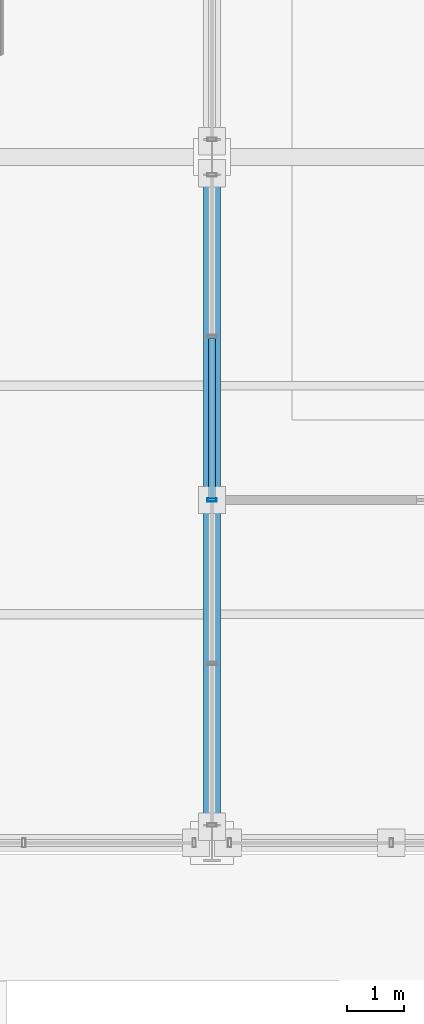
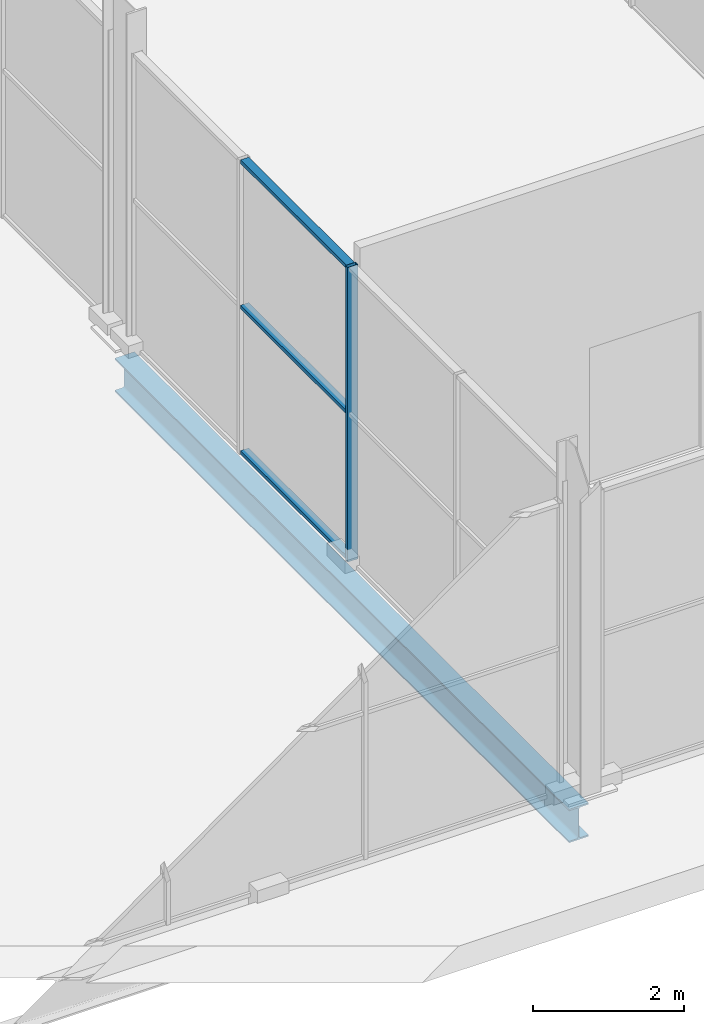
# One storey, part 42 of 196: 4 members, 1 beam, 1 element without a shape of its own.
"""IFC4 building model written with IfcOpenShell, lengths in metres."""

from ifc_helpers import new_model, si_unit, direction, frame, origin, origin_2d, place, context, subcontext, project, spatial, hollow_rectangle, i_section, extrude, material, material_profile, profile_set, type_object, element, aggregate, save


model = new_model("IFC4")

# Units and contexts
model_context = context("Model", 3, precision=1e-05, world=origin(), true_north=direction((0.0, 1.0)))
body_context = subcontext(model_context, "Body", "Model", "MODEL_VIEW")
ifc_project = project(units=[si_unit("LENGTHUNIT", "METRE"), si_unit("AREAUNIT", "SQUARE_METRE"), si_unit("VOLUMEUNIT", "CUBIC_METRE"), si_unit("PLANEANGLEUNIT", "RADIAN"), si_unit("MASSUNIT", "GRAM", prefix="KILO")], contexts=[model_context])

# Site, building, storey
site_placement = place(None, origin())
site = spatial("IfcSite", under=ifc_project, at=site_placement, CompositionType="ELEMENT")
building_placement = place(site_placement, origin())
building = spatial("IfcBuilding", under=site, at=building_placement, Name="Merenkruunu Market Hall", CompositionType="ELEMENT")
storey_placement = place(building_placement, origin())
storey = spatial("IfcBuildingStorey", under=building, at=storey_placement, Name="L00", CompositionType="ELEMENT", Elevation=0.0)

# Curtain wall, members
ifc_material_1 = material(Name="Powder-coated aluminium", Category="aluminium")
curtain_wall_type = type_object("IfcCurtainWallType", Name="Glazed Curtain Wall CW02", PredefinedType="USERDEFINED", material=ifc_material_1)
curtain_wall_placement = place(storey_placement, origin())
curtain_wall = element("IfcCurtainWall", 1, at=curtain_wall_placement, inside=storey, type_object=curtain_wall_type, Name="CW-L00-CWM01-121", ObjectType="GLAZED_FACADE", PredefinedType="USERDEFINED")
ifc_material_profile_1 = material_profile(ifc_material_1, hollow_rectangle(XDim=0.06005859375, YDim=0.159912109375, WallThickness=0.00390625, at=origin_2d()), Name="ALU 60x160x4")
ifc_profile_set_1 = profile_set([ifc_material_profile_1], Name="Powder-coated aluminium")
member_type_1 = type_object("IfcMemberType", Name="Curtain Wall Mullion CWM01", PredefinedType="MULLION", material=ifc_profile_set_1)
member_1_placement = place(storey_placement, frame((57.60009765625, 21.60009765625, 0.0), z_axis=(0.0, 0.0, 1.0), x_axis=(0.0, 1.0, 0.0)))
member_1 = element("IfcMember", 2, at=member_1_placement, type_object=member_type_1, Name="CW02 mullion 3", PredefinedType="MULLION", context=body_context, shape_type="SweptSolid", body=[
    extrude(hollow_rectangle(XDim=0.06005859375, YDim=0.159912109375, WallThickness=0.00390625, at=origin_2d()), origin(), (0.0, 0.0, 1.0), 4.75),
])
ifc_material_profile_2 = material_profile(ifc_material_1, hollow_rectangle(XDim=0.06005859375, YDim=0.125, WallThickness=0.00390625, at=origin_2d()), Name="ALU 60x125x4")
ifc_profile_set_2 = profile_set([ifc_material_profile_2], Name="Powder-coated aluminium")
member_type_2 = type_object("IfcMemberType", Name="Curtain Wall Transom CWT01", PredefinedType="USERDEFINED", material=ifc_profile_set_2)
member_2_placement = place(storey_placement, frame((57.60009765625, 21.6298828125, 0.030029296875), z_axis=(0.0, 1.0, 0.0), x_axis=(0.0, 0.0, 1.0)))
member_2 = element("IfcMember", 3, at=member_2_placement, type_object=member_type_2, Name="CW02 transom 3.1", ObjectType="TRANSOM", PredefinedType="USERDEFINED", context=body_context, shape_type="SweptSolid", body=[
    extrude(hollow_rectangle(XDim=0.06005859375, YDim=0.125, WallThickness=0.00390625, at=origin_2d()), origin(), (0.0, 0.0, 1.0), 2.800048828125),
])
member_3_placement = place(storey_placement, frame((57.60009765625, 21.6298828125, 2.375), z_axis=(0.0, 1.0, 0.0), x_axis=(0.0, 0.0, 1.0)))
member_3 = element("IfcMember", 4, at=member_3_placement, type_object=member_type_2, Name="CW02 transom 3.2", ObjectType="TRANSOM", PredefinedType="USERDEFINED", context=body_context, shape_type="SweptSolid", body=[
    extrude(hollow_rectangle(XDim=0.06005859375, YDim=0.125, WallThickness=0.00390625, at=origin_2d()), origin(), (0.0, 0.0, 1.0), 2.800048828125),
])
member_4_placement = place(storey_placement, frame((57.60009765625, 21.6298828125, 4.719970703125), z_axis=(0.0, 1.0, 0.0), x_axis=(0.0, 0.0, 1.0)))
member_4 = element("IfcMember", 5, at=member_4_placement, type_object=member_type_2, Name="CW02 transom 3.3", ObjectType="TRANSOM", PredefinedType="USERDEFINED", context=body_context, shape_type="SweptSolid", body=[
    extrude(hollow_rectangle(XDim=0.06005859375, YDim=0.125, WallThickness=0.00390625, at=origin_2d()), origin(), (0.0, 0.0, 1.0), 2.800048828125),
])
aggregate(curtain_wall, [member_1, member_2, member_3, member_4])

# Beam
ifc_material_2 = material(Name="Steel S355J2", Category="steel")
ifc_material_profile_3 = material_profile(ifc_material_2, i_section(OverallWidth=0.300048828125, OverallDepth=0.5400390625, WebThickness=0.012451171875, FlangeThickness=0.02392578125, FilletRadius=0.027099609375, at=origin_2d()), Name="HEA 550")
ifc_profile_set_3 = profile_set([ifc_material_profile_3], Name="Steel S355J2")
beam_type = type_object("IfcBeamType", Name="Primary Floor Girder B06", PredefinedType="BEAM", material=ifc_profile_set_3)
beam_placement = place(storey_placement, frame((57.60009765625, 15.60009765625, -0.610107421875), z_axis=(0.0, 1.0, 0.0), x_axis=(-1.0, 0.0, 0.0)))
element("IfcBeam", 6, at=beam_placement, inside=storey, type_object=beam_type, Name="BM-L00-B06-0185", PredefinedType="BEAM", context=body_context, shape_type="SweptSolid", body=[
    extrude(i_section(OverallWidth=0.300048828125, OverallDepth=0.5400390625, WebThickness=0.012451171875, FlangeThickness=0.02392578125, FilletRadius=0.027099609375, at=origin_2d()), origin(), (0.0, 0.0, 1.0), 12.0),
])

save(model, "model.ifc")
